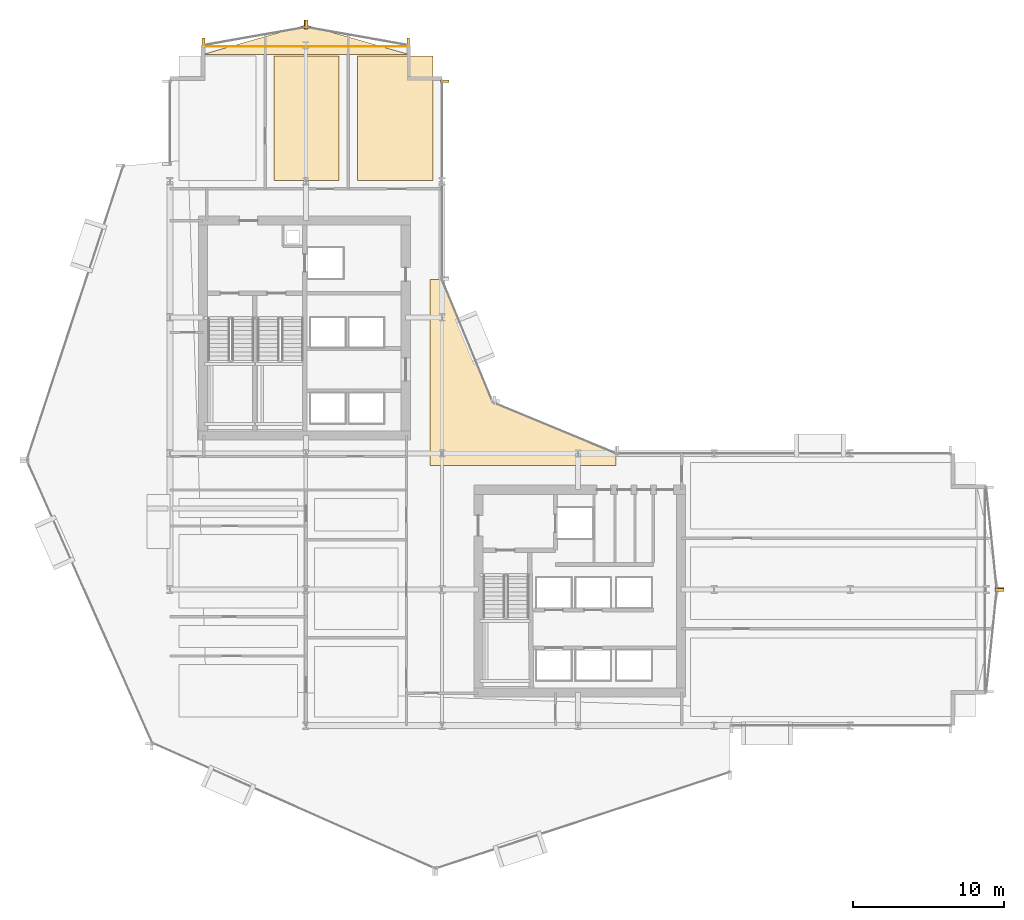
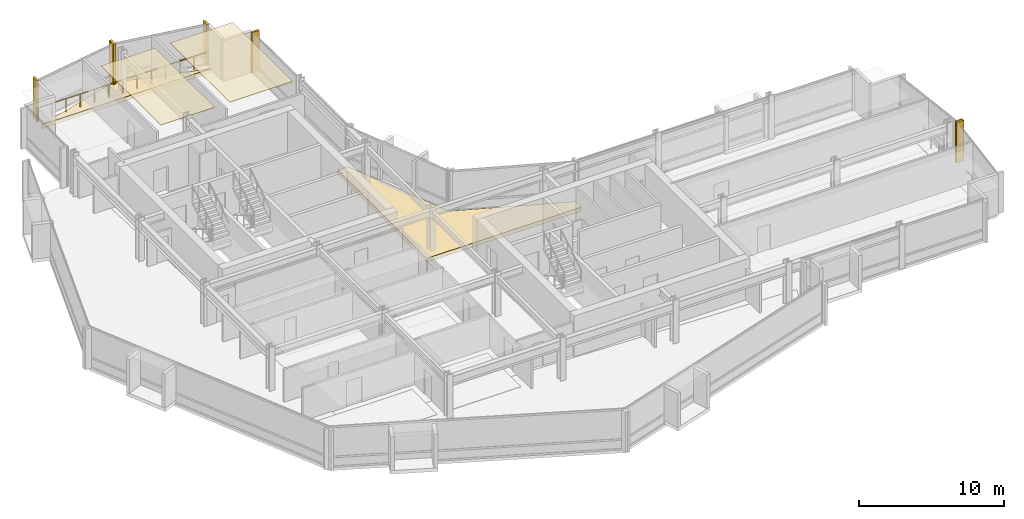
# One storey, part 34 of 34: 11 coverings, 1 railing.
"""IFC4 building model written with IfcOpenShell, lengths in metres."""

from ifc_helpers import new_model, si_unit, direction, frame, origin, origin_2d, place, context, subcontext, project, spatial, polyline, rectangle, circle, outline, extrude, material, layer, layer_set, type_object, element, save


model = new_model("IFC4")

# Units and contexts
model_context = context("Model", 3, precision=1e-05, world=origin(), true_north=direction((0.0, 1.0)))
body_context = subcontext(model_context, "Body", "Model", "MODEL_VIEW")
ifc_project = project(units=[si_unit("LENGTHUNIT", "METRE"), si_unit("AREAUNIT", "SQUARE_METRE"), si_unit("VOLUMEUNIT", "CUBIC_METRE"), si_unit("PLANEANGLEUNIT", "RADIAN"), si_unit("MASSUNIT", "GRAM", prefix="KILO")], contexts=[model_context])

# Site, building, storey
site_placement = place(None, origin())
site = spatial("IfcSite", under=ifc_project, at=site_placement, CompositionType="ELEMENT")
building_placement = place(site_placement, origin())
building = spatial("IfcBuilding", under=site, at=building_placement, Name="Solvaryn Broadcast Tower", CompositionType="ELEMENT")
storey_placement = place(building_placement, frame((0.0, 0.0, 39.699951171875)))
storey = spatial("IfcBuildingStorey", under=building, at=storey_placement, Name="L08", CompositionType="ELEMENT", Elevation=39.699951171875)

# Coverings
ifc_material_1 = material(Name="Micro-Perforated Acoustic Gypsum Ceiling", Category="concrete")
ifc_layer_1 = layer(ifc_material_1, 0.0400390625)
ifc_layer_set_1 = layer_set([ifc_layer_1], Name="CV-CEIL-ACOUSTIC")
covering_type_1 = type_object("IfcCoveringType", Name="CV-CEIL-ACOUSTIC", PredefinedType="CEILING", material=ifc_layer_set_1)
covering_1_placement = place(storey_placement, frame((0.0, 0.0, 3.380126953125)))
element("IfcCovering", 1, at=covering_1_placement, inside=storey, type_object=covering_type_1, Name="L08 Room Acoustic Ceiling 9", PredefinedType="CEILING", context=body_context, shape_type="SweptSolid", body=[
    extrude(outline(polyline([(15.89990234375, 45.070068359375), (20.199951171875, 45.070068359375), (20.199951171875, 53.300048828125), (15.89990234375, 53.300048828125), (15.89990234375, 45.070068359375)])), origin(), (0.0, 0.0, 1.0), 0.0400390625),
])
covering_2_placement = place(storey_placement, frame((0.0, 0.0, 3.380126953125)))
element("IfcCovering", 2, at=covering_2_placement, inside=storey, type_object=covering_type_1, Name="L08 Room Acoustic Ceiling 10", PredefinedType="CEILING", context=body_context, shape_type="SweptSolid", body=[
    extrude(outline(polyline([(21.39990234375, 45.070068359375), (26.39990234375, 45.070068359375), (26.39990234375, 53.300048828125), (21.39990234375, 53.300048828125), (21.39990234375, 45.070068359375)])), origin(), (0.0, 0.0, 1.0), 0.0400390625),
])
ifc_material_2 = material(Name="Extruded Architectural Terracotta Fin", Category="masonry")
ifc_layer_2 = layer(ifc_material_2, 0.179931640625)
ifc_layer_set_2 = layer_set([ifc_layer_2], Name="CV-TC-FIN")
covering_type_2 = type_object("IfcCoveringType", Name="CV-TC-FIN", PredefinedType="USERDEFINED", material=ifc_layer_set_2)
covering_3_placement = place(storey_placement, frame((27.1875, 51.6201171875, 0.0), z_axis=(0.0, 0.0, 1.0), x_axis=(1.0, 0.0, 0.0)))
element("IfcCovering", 3, at=covering_3_placement, inside=storey, type_object=covering_type_2, Name="L08 Terracotta Vertical Fin FIN-L08-IV-M00", ObjectType="FIN", PredefinedType="USERDEFINED", context=body_context, shape_type="SweptSolid", body=[
    extrude(rectangle(XDim=0.580078125, YDim=0.179931640625, at=origin_2d()), origin(), (0.0, 0.0, 1.0), 3.419921875),
])
for number, where, z_axis, x_axis, name in (
    (4, (24.7705078125, 54.192626953125, 0.0), (0.0, 0.0, 1.0), (1.0, 0.0, 0.0), "L08 Terracotta Vertical Fin FIN-L08-NT1-M00"),
    (5, (18.029541015625, 55.38232421875, 0.0), (0.0, 0.0, 1.0), (1.0, 0.0, 0.0), "L08 Terracotta Vertical Fin FIN-L08-NT1-M01"),
    (6, (17.970458984375, 55.38232421875, 0.0), (0.0, 0.0, 1.0), (1.0, 0.0, 0.0), "L08 Terracotta Vertical Fin FIN-L08-NT2-M00"),
    (7, (11.2294921875, 54.192626953125, 0.0), (0.0, 0.0, 1.0), (1.0, 0.0, 0.0), "L08 Terracotta Vertical Fin FIN-L08-NT2-M01"),
):
    element("IfcCovering", number, at=place(storey_placement, frame(where, z_axis=z_axis, x_axis=x_axis)), inside=storey, type_object=covering_type_2, Name=name, ObjectType="FIN", PredefinedType="USERDEFINED", context=body_context, shape_type="SweptSolid", body=[
        extrude(rectangle(XDim=0.179931640625, YDim=0.580078125, at=origin_2d()), origin(), (0.0, 0.0, 1.0), 3.419921875),
    ])
for number, where, z_axis, x_axis, name in (
    (8, (63.884521484375, 18.02978515625, 0.0), (0.0, 0.0, 1.0), (1.0, 0.0, 0.0), "L08 Terracotta Vertical Fin FIN-L08-ET1-M01"),
    (9, (63.884521484375, 17.97021484375, 0.0), (0.0, 0.0, 1.0), (1.0, 0.0, 0.0), "L08 Terracotta Vertical Fin FIN-L08-ET2-M00"),
):
    element("IfcCovering", number, at=place(storey_placement, frame(where, z_axis=z_axis, x_axis=x_axis)), inside=storey, type_object=covering_type_2, Name=name, ObjectType="FIN", PredefinedType="USERDEFINED", context=body_context, shape_type="SweptSolid", body=[
        extrude(rectangle(XDim=0.580078125, YDim=0.179931640625, at=origin_2d()), origin(), (0.0, 0.0, 1.0), 3.419921875),
    ])
ifc_material_3 = material(Name="Sculpted Architectural Terracotta Wave Fascia", Category="masonry")
ifc_layer_3 = layer(ifc_material_3, 0.340087890625)
ifc_layer_set_3 = layer_set([ifc_layer_3], Name="CV-WAVE-TRAY")
covering_type_3 = type_object("IfcCoveringType", Name="CV-WAVE-TRAY", PredefinedType="CLADDING", material=ifc_layer_set_3)
covering_4_placement = place(storey_placement, frame((0.0, 0.0, -0.300048828125)))
element("IfcCovering", 10, at=covering_4_placement, inside=storey, type_object=covering_type_3, Name="L08 Concave Canyon Floor Apron", PredefinedType="CLADDING", context=body_context, shape_type="SweptSolid", body=[
    extrude(outline(polyline([(26.199951171875, 26.199951171875), (38.5, 26.199951171875), (38.5, 27.0), (30.367919921875, 30.367919921875), (27.0, 38.5), (26.199951171875, 38.5), (26.199951171875, 26.199951171875)])), origin(), (0.0, 0.0, 1.0), 0.330078125),
])
covering_5_placement = place(storey_placement, frame((0.0, 0.0, -0.300048828125)))
element("IfcCovering", 11, at=covering_5_placement, inside=storey, type_object=covering_type_3, Name="L08 North Curved Wing Deck", PredefinedType="CLADDING", context=body_context, shape_type="SweptSolid", body=[
    extrude(outline(polyline([(11.199951171875, 53.39990234375), (24.800048828125, 53.39990234375), (18.0, 55.35009765625), (11.199951171875, 53.39990234375)])), origin(), (0.0, 0.0, 1.0), 0.330078125),
])

# Railing
ifc_material_4 = material(Name="Stainless Steel and Laminated Glass Guard", Category="steel")
railing_type = type_object("IfcRailingType", Name="RL-TER-1150", PredefinedType="BALUSTRADE", material=ifc_material_4)
railing_placement = place(storey_placement, frame((11.199951171875, 53.919921875, 0.0)))
element("IfcRailing", 12, at=railing_placement, inside=storey, type_object=railing_type, Name="L08 North Wing Spandrel Edge Guard", PredefinedType="BALUSTRADE", context=body_context, shape_type="SweptSolid", body=[
    extrude(circle(Radius=0.02392578125, at=origin_2d()), frame((0.0, 0.0, 1.1259765625), z_axis=(1.0, 0.0, 0.0), x_axis=(0.0, 1.0, 0.0)), (0.0, 0.0, 1.0), 13.60009765625),
    extrude(circle(Radius=0.02099609375, at=origin_2d()), origin(), (0.0, 0.0, 1.0), 1.101806640625),
    extrude(circle(Radius=0.02099609375, at=origin_2d()), frame((1.13330078125, 0.0, 0.0)), (0.0, 0.0, 1.0), 1.101806640625),
    extrude(circle(Radius=0.02099609375, at=origin_2d()), frame((2.2666015625, 0.0, 0.0)), (0.0, 0.0, 1.0), 1.101806640625),
    extrude(circle(Radius=0.02099609375, at=origin_2d()), frame((3.39990234375, 0.0, 0.0)), (0.0, 0.0, 1.0), 1.101806640625),
    extrude(circle(Radius=0.02099609375, at=origin_2d()), frame((4.533447265625, 0.0, 0.0)), (0.0, 0.0, 1.0), 1.101806640625),
    extrude(circle(Radius=0.02099609375, at=origin_2d()), frame((5.666748046875, 0.0, 0.0)), (0.0, 0.0, 1.0), 1.101806640625),
    extrude(circle(Radius=0.02099609375, at=origin_2d()), frame((6.800048828125, 0.0, 0.0)), (0.0, 0.0, 1.0), 1.101806640625),
    extrude(circle(Radius=0.02099609375, at=origin_2d()), frame((7.933349609375, 0.0, 0.0)), (0.0, 0.0, 1.0), 1.101806640625),
    extrude(circle(Radius=0.02099609375, at=origin_2d()), frame((9.066650390625, 0.0, 0.0)), (0.0, 0.0, 1.0), 1.101806640625),
    extrude(circle(Radius=0.02099609375, at=origin_2d()), frame((10.2001953125, 0.0, 0.0)), (0.0, 0.0, 1.0), 1.101806640625),
    extrude(circle(Radius=0.02099609375, at=origin_2d()), frame((11.33349609375, 0.0, 0.0)), (0.0, 0.0, 1.0), 1.101806640625),
    extrude(circle(Radius=0.02099609375, at=origin_2d()), frame((12.466796875, 0.0, 0.0)), (0.0, 0.0, 1.0), 1.101806640625),
    extrude(circle(Radius=0.02099609375, at=origin_2d()), frame((13.60009765625, 0.0, 0.0)), (0.0, 0.0, 1.0), 1.101806640625),
])

save(model, "model.ifc")
